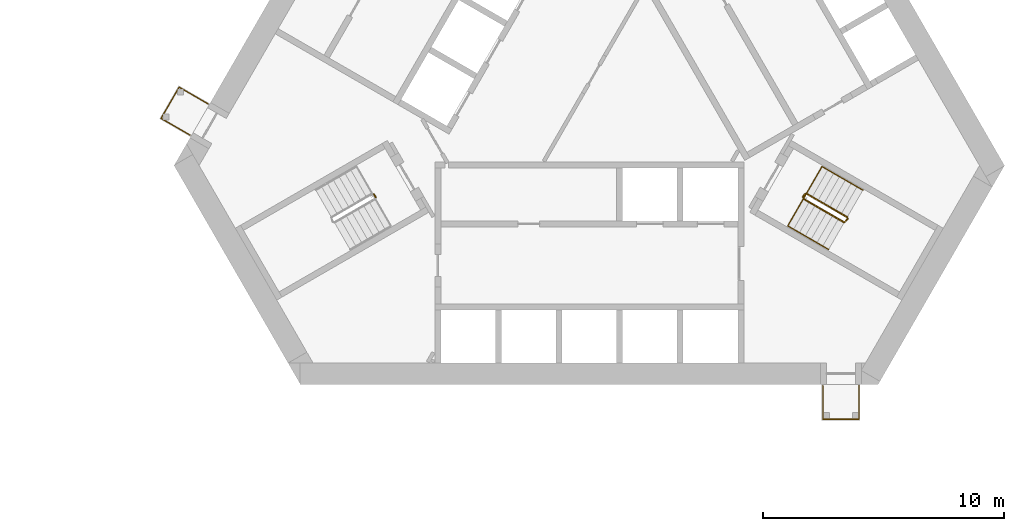
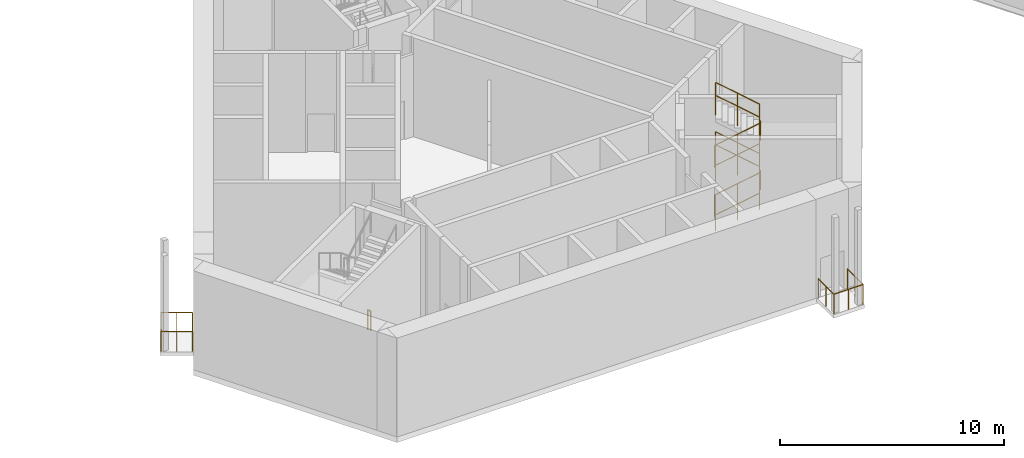
# One storey, part 28 of 35: 9 railings.
"""IFC4 building model written with IfcOpenShell, lengths in metres."""

from ifc_helpers import new_model, si_unit, direction, frame, origin, origin_2d, place, context, subcontext, project, spatial, circle, extrude, material, type_object, element, save


model = new_model("IFC4")

# Units and contexts
model_context = context("Model", 3, precision=1e-05, world=origin(), true_north=direction((0.0, 1.0)))
body_context = subcontext(model_context, "Body", "Model", "MODEL_VIEW")
ifc_project = project(units=[si_unit("LENGTHUNIT", "METRE"), si_unit("AREAUNIT", "SQUARE_METRE"), si_unit("VOLUMEUNIT", "CUBIC_METRE"), si_unit("PLANEANGLEUNIT", "RADIAN"), si_unit("MASSUNIT", "GRAM", prefix="KILO")], contexts=[model_context])

# Site, building, storey
site_placement = place(None, origin())
site = spatial("IfcSite", under=ifc_project, at=site_placement, CompositionType="ELEMENT")
building_placement = place(site_placement, origin())
building = spatial("IfcBuilding", under=site, at=building_placement, Name="Mestral Congress Tower", CompositionType="ELEMENT")
storey_placement = place(building_placement, frame((0.0, 0.0, 6.0)))
storey = spatial("IfcBuildingStorey", under=building, at=storey_placement, Name="L01", CompositionType="ELEMENT", Elevation=6.0)

# Railings
ifc_material_1 = material(Name="Steel balustrade", Category="steel")
railing_type_1 = type_object("IfcRailingType", Name="Podium door landing guard 1100", PredefinedType="GUARDRAIL", material=ifc_material_1)
railing_1_placement = place(storey_placement, frame((9.7119140625, -13.050048828125, 0.0)))
element("IfcRailing", 1, at=railing_1_placement, inside=storey, type_object=railing_type_1, Name="Door landing guard", PredefinedType="GUARDRAIL", context=body_context, shape_type="SweptSolid", body=[
    extrude(circle(Radius=0.02392578125, at=origin_2d()), frame((0.0, 0.0, 1.076171875), z_axis=(0.0, -1.0, 0.0), x_axis=(1.0, 0.0, 0.0)), (0.0, 0.0, 1.0), 1.39990234375),
    extrude(circle(Radius=0.02392578125, at=origin_2d()), frame((0.0, -1.39990234375, 1.076171875), z_axis=(1.0, 0.0, 0.0), x_axis=(0.0, 1.0, 0.0)), (0.0, 0.0, 1.0), 1.5),
    extrude(circle(Radius=0.02392578125, at=origin_2d()), frame((1.5, -1.39990234375, 1.076171875), z_axis=(0.0, 1.0, 0.0), x_axis=(-1.0, 0.0, 0.0)), (0.0, 0.0, 1.0), 1.39990234375),
    extrude(circle(Radius=0.02099609375, at=origin_2d()), origin(), (0.0, 0.0, 1.0), 1.052001953125),
    extrude(circle(Radius=0.02099609375, at=origin_2d()), frame((0.0, -0.699951171875, 0.0)), (0.0, 0.0, 1.0), 1.052001953125),
    extrude(circle(Radius=0.02099609375, at=origin_2d()), frame((0.0, -1.39990234375, 0.0)), (0.0, 0.0, 1.0), 1.052001953125),
    extrude(circle(Radius=0.02099609375, at=origin_2d()), frame((0.75, -1.39990234375, 0.0)), (0.0, 0.0, 1.0), 1.052001953125),
    extrude(circle(Radius=0.02099609375, at=origin_2d()), frame((1.5, -1.39990234375, 0.0)), (0.0, 0.0, 1.0), 1.052001953125),
    extrude(circle(Radius=0.02099609375, at=origin_2d()), frame((1.5, -0.699951171875, 0.0)), (0.0, 0.0, 1.0), 1.052001953125),
    extrude(circle(Radius=0.02099609375, at=origin_2d()), frame((1.5, 0.0, 0.0)), (0.0, 0.0, 1.0), 1.052001953125),
])
railing_2_placement = place(storey_placement, frame((-15.842529296875, -1.340087890625, 0.0)))
element("IfcRailing", 2, at=railing_2_placement, inside=storey, type_object=railing_type_1, Name="Door landing guard", PredefinedType="GUARDRAIL", context=body_context, shape_type="SweptSolid", body=[
    extrude(circle(Radius=0.02392578125, at=origin_2d()), frame((0.0, 0.0, 1.076171875), z_axis=(-0.865959057869, 0.500114896893, 0.0), x_axis=(-0.500114896893, -0.865959057869, 0.0)), (0.0, 0.0, 1.0), 1.400146484375),
    extrude(circle(Radius=0.02392578125, at=origin_2d()), frame((-1.21240234375, 0.7001953125, 1.076171875), z_axis=(-0.499919672301, -0.866071776036, 0.0), x_axis=(0.866071776036, -0.499919672301, 0.0)), (0.0, 0.0, 1.0), 1.500244140625),
    extrude(circle(Radius=0.02392578125, at=origin_2d()), frame((-1.96240234375, -0.59912109375, 1.076171875), z_axis=(0.866034573852, -0.49998411664, 0.0), x_axis=(0.49998411664, 0.866034573852, 0.0)), (0.0, 0.0, 1.0), 1.39990234375),
    extrude(circle(Radius=0.02099609375, at=origin_2d()), origin(), (0.0, 0.0, 1.0), 1.052001953125),
    extrude(circle(Radius=0.02099609375, at=origin_2d()), frame((-0.606201171875, 0.35009765625, 0.0)), (0.0, 0.0, 1.0), 1.052001953125),
    extrude(circle(Radius=0.02099609375, at=origin_2d()), frame((-1.21240234375, 0.7001953125, 0.0)), (0.0, 0.0, 1.0), 1.052001953125),
    extrude(circle(Radius=0.02099609375, at=origin_2d()), frame((-1.58740234375, 0.050537109375, 0.0)), (0.0, 0.0, 1.0), 1.052001953125),
    extrude(circle(Radius=0.02099609375, at=origin_2d()), frame((-1.96240234375, -0.59912109375, 0.0)), (0.0, 0.0, 1.0), 1.052001953125),
    extrude(circle(Radius=0.02099609375, at=origin_2d()), frame((-1.356201171875, -0.94921875, 0.0)), (0.0, 0.0, 1.0), 1.052001953125),
    extrude(circle(Radius=0.02099609375, at=origin_2d()), frame((-0.75, -1.299072265625, 0.0)), (0.0, 0.0, 1.0), 1.052001953125),
])
railing_type_2 = type_object("IfcRailingType", Name="Stair guard 1100", PredefinedType="GUARDRAIL", material=ifc_material_1)
railing_3_placement = place(storey_placement, frame((8.90087890625, -5.283203125, 0.168701171875)))
element("IfcRailing", 3, at=railing_3_placement, inside=storey, type_object=railing_type_2, Name="L01 ST1 stair guard 1", PredefinedType="GUARDRAIL", context=body_context, shape_type="SweptSolid", body=[
    extrude(circle(Radius=0.02392578125, at=origin_2d()), frame((0.0, 0.0, 1.076171875), z_axis=(0.741730552229, -0.428204578836, 0.516213741153), x_axis=(0.499970440388, 0.866042469362, 0.0)), (0.0, 0.0, 1.0), 2.28857421875),
    extrude(circle(Radius=0.02392578125, at=origin_2d()), frame((1.697509765625, -0.97998046875, 2.25732421875), z_axis=(0.694552208452, 0.71944230466, 0.0), x_axis=(-0.71944230466, 0.694552208452, 0.0)), (0.0, 0.0, 1.0), 0.2060546875),
    extrude(circle(Radius=0.02099609375, at=origin_2d()), origin(), (0.0, 0.0, 1.0), 1.052001953125),
    extrude(circle(Radius=0.02099609375, at=origin_2d()), frame((0.8486328125, -0.489990234375, 0.5908203125)), (0.0, 0.0, 1.0), 1.052001953125),
    extrude(circle(Radius=0.02099609375, at=origin_2d()), frame((1.697509765625, -0.97998046875, 1.181396484375)), (0.0, 0.0, 1.0), 1.052001953125),
    extrude(circle(Radius=0.02099609375, at=origin_2d()), frame((1.840576171875, -0.831787109375, 1.181396484375)), (0.0, 0.0, 1.0), 1.052001953125),
])
railing_4_placement = place(storey_placement, frame((10.723388671875, -6.046630859375, 1.518798828125)))
element("IfcRailing", 4, at=railing_4_placement, inside=storey, type_object=railing_type_2, Name="L01 ST1 stair guard 2", PredefinedType="GUARDRAIL", context=body_context, shape_type="SweptSolid", body=[
    extrude(circle(Radius=0.02392578125, at=origin_2d()), frame((0.0, 0.0, 1.076171875), z_axis=(-0.741771397394, 0.428228158944, 0.516135484049), x_axis=(-0.499970440388, -0.866042469362, 0.0)), (0.0, 0.0, 1.0), 2.28857421875),
    extrude(circle(Radius=0.02392578125, at=origin_2d()), frame((-1.697509765625, 0.97998046875, 2.25732421875), z_axis=(-0.965948051503, -0.258736085224, 0.0), x_axis=(0.258736085224, -0.965948051503, 0.0)), (0.0, 0.0, 1.0), 0.07080078125),
    extrude(circle(Radius=0.02392578125, at=origin_2d()), frame((-1.765869140625, 0.961669921875, 2.25732421875), z_axis=(-0.499816412211, -0.866131372301, 0.0), x_axis=(0.866131372301, -0.499816412211, 0.0)), (0.0, 0.0, 1.0), 0.14990234375),
    extrude(circle(Radius=0.02099609375, at=origin_2d()), origin(), (0.0, 0.0, 1.0), 1.052001953125),
    extrude(circle(Radius=0.02099609375, at=origin_2d()), frame((-0.8486328125, 0.489990234375, 0.590576171875)), (0.0, 0.0, 1.0), 1.052001953125),
    extrude(circle(Radius=0.02099609375, at=origin_2d()), frame((-1.697509765625, 0.97998046875, 1.18115234375)), (0.0, 0.0, 1.0), 1.052001953125),
    extrude(circle(Radius=0.02099609375, at=origin_2d()), frame((-1.765869140625, 0.961669921875, 1.18115234375)), (0.0, 0.0, 1.0), 1.052001953125),
    extrude(circle(Radius=0.02099609375, at=origin_2d()), frame((-1.8408203125, 0.831787109375, 1.18115234375)), (0.0, 0.0, 1.0), 1.052001953125),
])
railing_5_placement = place(storey_placement, frame((8.90087890625, -5.283203125, 2.86865234375)))
element("IfcRailing", 5, at=railing_5_placement, inside=storey, type_object=railing_type_2, Name="L01 ST1 stair guard 3", PredefinedType="GUARDRAIL", context=body_context, shape_type="SweptSolid", body=[
    extrude(circle(Radius=0.02392578125, at=origin_2d()), frame((0.0, 0.0, 1.076171875), z_axis=(0.741730552229, -0.428204578836, 0.516213741153), x_axis=(0.499970440388, 0.866042469362, 0.0)), (0.0, 0.0, 1.0), 2.28857421875),
    extrude(circle(Radius=0.02392578125, at=origin_2d()), frame((1.697509765625, -0.97998046875, 2.25732421875), z_axis=(0.694552208452, 0.71944230466, 0.0), x_axis=(-0.71944230466, 0.694552208452, 0.0)), (0.0, 0.0, 1.0), 0.2060546875),
    extrude(circle(Radius=0.02099609375, at=origin_2d()), origin(), (0.0, 0.0, 1.0), 1.052001953125),
    extrude(circle(Radius=0.02099609375, at=origin_2d()), frame((0.8486328125, -0.489990234375, 0.5908203125)), (0.0, 0.0, 1.0), 1.052001953125),
    extrude(circle(Radius=0.02099609375, at=origin_2d()), frame((1.697509765625, -0.97998046875, 1.181396484375)), (0.0, 0.0, 1.0), 1.052001953125),
    extrude(circle(Radius=0.02099609375, at=origin_2d()), frame((1.840576171875, -0.831787109375, 1.181396484375)), (0.0, 0.0, 1.0), 1.052001953125),
])
railing_6_placement = place(storey_placement, frame((10.723388671875, -6.046630859375, 4.21875)))
element("IfcRailing", 6, at=railing_6_placement, inside=storey, type_object=railing_type_2, Name="L01 ST1 stair guard 4", PredefinedType="GUARDRAIL", context=body_context, shape_type="SweptSolid", body=[
    extrude(circle(Radius=0.02392578125, at=origin_2d()), frame((0.0, 0.0, 1.076171875), z_axis=(-0.741771397394, 0.428228158944, 0.516135484049), x_axis=(-0.499970440388, -0.866042469362, 0.0)), (0.0, 0.0, 1.0), 2.28857421875),
    extrude(circle(Radius=0.02099609375, at=origin_2d()), origin(), (0.0, 0.0, 1.0), 1.052001953125),
    extrude(circle(Radius=0.02099609375, at=origin_2d()), frame((-0.8486328125, 0.489990234375, 0.590576171875)), (0.0, 0.0, 1.0), 1.052001953125),
    extrude(circle(Radius=0.02099609375, at=origin_2d()), frame((-1.697509765625, 0.97998046875, 1.18115234375)), (0.0, 0.0, 1.0), 1.052001953125),
])
railing_7_placement = place(storey_placement, frame((8.882568359375, -5.21484375, 0.0)))
element("IfcRailing", 7, at=railing_7_placement, inside=storey, type_object=railing_type_2, Name="L01 ST1 stair guard 5", PredefinedType="GUARDRAIL", context=body_context, shape_type="SweptSolid", body=[
    extrude(circle(Radius=0.02392578125, at=origin_2d()), frame((0.0, 0.0, 1.076171875), z_axis=(0.499816412211, 0.866131372301, 0.0), x_axis=(-0.866131372301, 0.499816412211, 0.0)), (0.0, 0.0, 1.0), 0.14990234375),
    extrude(circle(Radius=0.02099609375, at=origin_2d()), origin(), (0.0, 0.0, 1.0), 1.052001953125),
    extrude(circle(Radius=0.02099609375, at=origin_2d()), frame((0.074951171875, 0.1298828125, 0.0)), (0.0, 0.0, 1.0), 1.052001953125),
])
railing_8_placement = place(storey_placement, frame((-8.95751953125, -5.0849609375, 0.0)))
element("IfcRailing", 8, at=railing_8_placement, inside=storey, type_object=railing_type_2, Name="L01 ST3 stair guard 5", PredefinedType="GUARDRAIL", context=body_context, shape_type="SweptSolid", body=[
    extrude(circle(Radius=0.02392578125, at=origin_2d()), frame((0.0, 0.0, 1.076171875), z_axis=(0.499816412211, -0.866131372301, 0.0), x_axis=(0.866131372301, 0.499816412211, 0.0)), (0.0, 0.0, 1.0), 0.14990234375),
    extrude(circle(Radius=0.02099609375, at=origin_2d()), origin(), (0.0, 0.0, 1.0), 1.052001953125),
    extrude(circle(Radius=0.02099609375, at=origin_2d()), frame((0.074951171875, -0.1298828125, 0.0)), (0.0, 0.0, 1.0), 1.052001953125),
])
ifc_material_2 = material(Name="Steel handrail", Category="steel")
railing_type_3 = type_object("IfcRailingType", Name="Stair handrail 900", PredefinedType="HANDRAIL", material=ifc_material_2)
railing_9_placement = place(storey_placement, frame((8.2509765625, -6.4091796875, 0.168701171875)))
element("IfcRailing", 9, at=railing_9_placement, inside=storey, type_object=railing_type_3, Name="L01 ST1 stair handrail 1", PredefinedType="HANDRAIL", context=body_context, shape_type="SweptSolid", body=[
    extrude(circle(Radius=0.02392578125, at=origin_2d()), frame((0.0, 0.0, 0.8759765625), z_axis=(0.741682559053, -0.428238462606, 0.516254589076), x_axis=(0.500024377727, 0.866011328839, 0.0)), (0.0, 0.0, 1.0), 2.288330078125),
    extrude(circle(Radius=0.02392578125, at=origin_2d()), frame((1.697265625, -0.97998046875, 2.05712890625), z_axis=(0.0, 0.0, 1.0), x_axis=(1.0, 0.0, 0.0)), (0.0, 0.0, 1.0), 2.699951171875),
    extrude(circle(Radius=0.02392578125, at=origin_2d()), frame((1.697265625, -0.97998046875, 4.75732421875), z_axis=(-0.741682559053, 0.428238462606, -0.516254589076), x_axis=(-0.500024377727, -0.866011328839, 0.0)), (0.0, 0.0, 1.0), 2.288330078125),
    extrude(circle(Radius=0.02392578125, at=origin_2d()), frame((0.0, 0.0, 3.57568359375), z_axis=(0.499061461536, 0.86454958467, -0.059090382098), x_axis=(-0.866062911188, 0.499935029643, 0.0)), (0.0, 0.0, 1.0), 2.85498046875),
    extrude(circle(Radius=0.02392578125, at=origin_2d()), frame((1.4248046875, 2.46826171875, 3.4072265625), z_axis=(0.741771397394, -0.428228158944, -0.516135484049), x_axis=(0.499970440388, 0.866042469362, 0.0)), (0.0, 0.0, 1.0), 2.28857421875),
    extrude(circle(Radius=0.02392578125, at=origin_2d()), frame((3.122314453125, 1.48828125, 2.22607421875), z_axis=(0.0, 0.0, 1.0), x_axis=(1.0, 0.0, 0.0)), (0.0, 0.0, 1.0), 2.699951171875),
    extrude(circle(Radius=0.02392578125, at=origin_2d()), frame((3.122314453125, 1.48828125, 4.92578125), z_axis=(-0.741771397394, 0.428228158944, 0.516135484049), x_axis=(-0.499970440388, -0.866042469362, 0.0)), (0.0, 0.0, 1.0), 2.28857421875),
    extrude(circle(Radius=0.02099609375, at=origin_2d()), origin(), (0.0, 0.0, 1.0), 0.851806640625),
    extrude(circle(Radius=0.02099609375, at=origin_2d()), frame((0.8486328125, -0.489990234375, 0.5908203125)), (0.0, 0.0, 1.0), 0.851806640625),
    extrude(circle(Radius=0.02099609375, at=origin_2d()), frame((1.697265625, -0.97998046875, 1.181396484375)), (0.0, 0.0, 1.0), 0.851806640625),
    extrude(circle(Radius=0.02099609375, at=origin_2d()), frame((1.697265625, -0.97998046875, 2.081298828125)), (0.0, 0.0, 1.0), 0.851806640625),
    extrude(circle(Radius=0.02099609375, at=origin_2d()), frame((1.697265625, -0.97998046875, 2.9814453125)), (0.0, 0.0, 1.0), 0.851806640625),
    extrude(circle(Radius=0.02099609375, at=origin_2d()), frame((1.697265625, -0.97998046875, 3.88134765625)), (0.0, 0.0, 1.0), 0.851806640625),
    extrude(circle(Radius=0.02099609375, at=origin_2d()), frame((0.8486328125, -0.489990234375, 3.29052734375)), (0.0, 0.0, 1.0), 0.851806640625),
    extrude(circle(Radius=0.02099609375, at=origin_2d()), frame((0.0, 0.0, 2.699951171875)), (0.0, 0.0, 1.0), 0.851806640625),
    extrude(circle(Radius=0.02099609375, at=origin_2d()), frame((0.474853515625, 0.82275390625, 2.643798828125)), (0.0, 0.0, 1.0), 0.851806640625),
    extrude(circle(Radius=0.02099609375, at=origin_2d()), frame((0.949951171875, 1.6455078125, 2.58740234375)), (0.0, 0.0, 1.0), 0.851806640625),
    extrude(circle(Radius=0.02099609375, at=origin_2d()), frame((1.4248046875, 2.46826171875, 2.53125)), (0.0, 0.0, 1.0), 0.851806640625),
    extrude(circle(Radius=0.02099609375, at=origin_2d()), frame((2.2734375, 1.978271484375, 1.940673828125)), (0.0, 0.0, 1.0), 0.851806640625),
    extrude(circle(Radius=0.02099609375, at=origin_2d()), frame((3.122314453125, 1.48828125, 1.35009765625)), (0.0, 0.0, 1.0), 0.851806640625),
    extrude(circle(Radius=0.02099609375, at=origin_2d()), frame((3.122314453125, 1.48828125, 2.25)), (0.0, 0.0, 1.0), 0.851806640625),
    extrude(circle(Radius=0.02099609375, at=origin_2d()), frame((3.122314453125, 1.48828125, 3.150146484375)), (0.0, 0.0, 1.0), 0.851806640625),
    extrude(circle(Radius=0.02099609375, at=origin_2d()), frame((3.122314453125, 1.48828125, 4.050048828125)), (0.0, 0.0, 1.0), 0.851806640625),
    extrude(circle(Radius=0.02099609375, at=origin_2d()), frame((2.2734375, 1.978271484375, 4.640625)), (0.0, 0.0, 1.0), 0.851806640625),
    extrude(circle(Radius=0.02099609375, at=origin_2d()), frame((1.4248046875, 2.46826171875, 5.231201171875)), (0.0, 0.0, 1.0), 0.851806640625),
])

save(model, "model.ifc")
